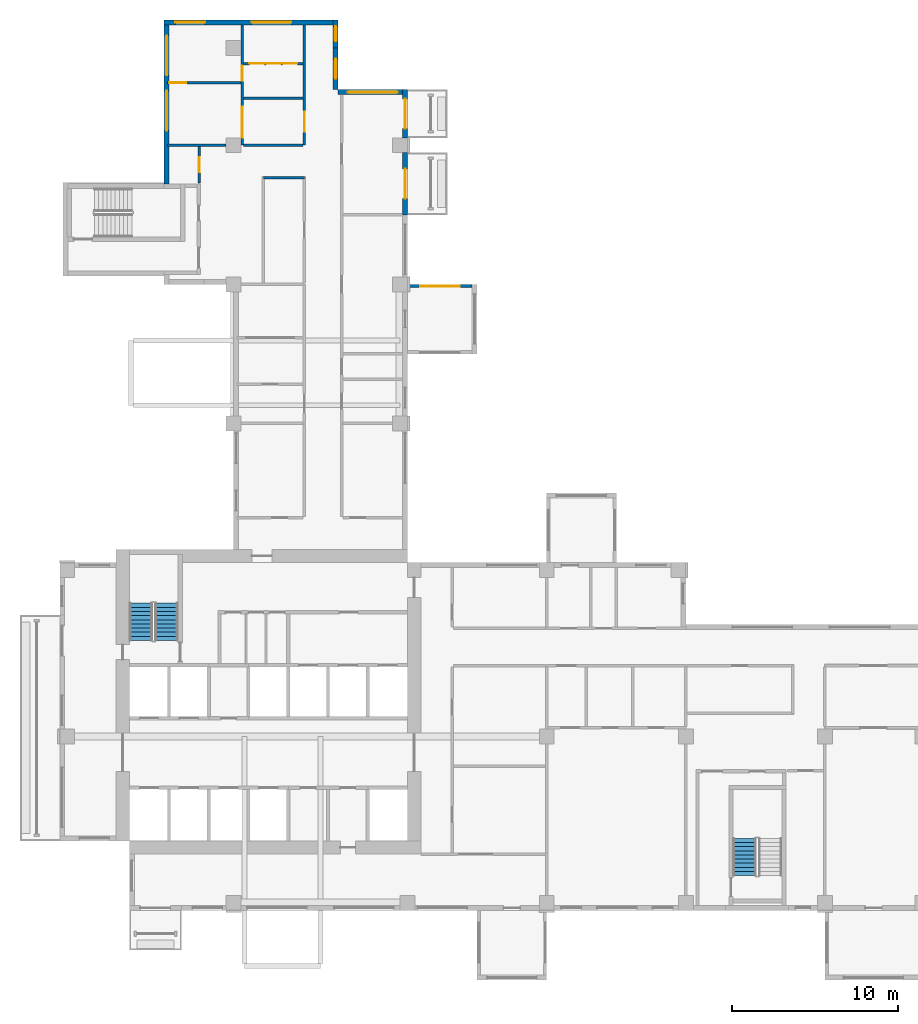
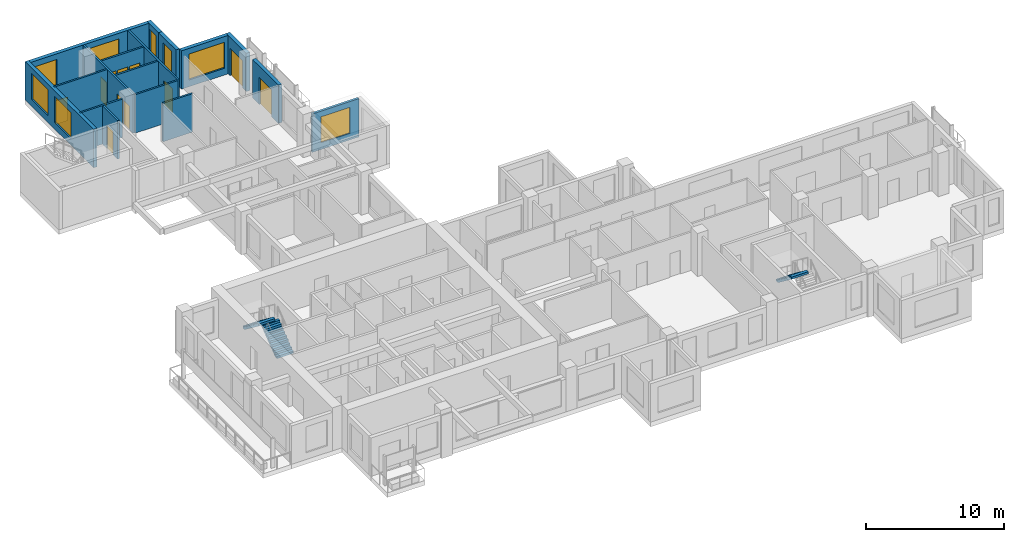
# One storey, part 8 of 13: 17 walls, 11 doors, 8 windows, 3 stair flights, 19 openings, 2 elements without a shape of their own.
"""IFC4 building model written with IfcOpenShell, lengths in metres."""

from ifc_helpers import new_model, si_unit, direction, frame, frame_2d, origin, place, context, subcontext, project, spatial, polyline, rectangle, outline, extrude, source, transform, mapped, material, layer, layer_set, type_object, element, fill, aggregate, save


model = new_model("IFC4")

# Units and contexts
model_context = context("Model", 3, precision=1e-05, world=origin(), true_north=direction((0.0, 1.0)))
body_context = subcontext(model_context, "Body", "Model", "MODEL_VIEW")
ifc_project = project(units=[si_unit("LENGTHUNIT", "METRE"), si_unit("AREAUNIT", "SQUARE_METRE"), si_unit("VOLUMEUNIT", "CUBIC_METRE"), si_unit("PLANEANGLEUNIT", "RADIAN"), si_unit("MASSUNIT", "GRAM", prefix="KILO")], contexts=[model_context])

# Site, building, storey
site_placement = place(None, origin())
site = spatial("IfcSite", under=ifc_project, at=site_placement, CompositionType="ELEMENT")
building_placement = place(site_placement, origin())
building = spatial("IfcBuilding", under=site, at=building_placement, Name="Aurelian Terraces", CompositionType="ELEMENT")
storey_placement = place(building_placement, frame((0.0, 0.0, 193.0)))
storey = spatial("IfcBuildingStorey", under=building, at=storey_placement, Name="L42", CompositionType="ELEMENT", Elevation=193.0)

# Wall
ifc_material_1 = material(Name="Gypsum board on steel studs", Category="steel")
ifc_layer_1 = layer(ifc_material_1, 0.15)
ifc_layer_set_1 = layer_set([ifc_layer_1], Name="Partition 150")
wall_type_1 = type_object("IfcWallType", Name="Partition 150", PredefinedType="PARTITIONING", material=ifc_layer_set_1)
wall_1_placement = place(storey_placement, frame((14.775, 44.25, 0.0), z_axis=(0.0, 0.0, 1.0), x_axis=(-1.0, 0.0, 0.0)))
element("IfcWall", 1, at=wall_1_placement, inside=storey, type_object=wall_type_1, Name="Partition", PredefinedType="PARTITIONING", context=body_context, shape_type="SweptSolid", body=[
    extrude(rectangle(XDim=2.475, YDim=0.15, at=frame_2d((1.2375, 0.0))), origin(), (0.0, 0.0, 1.0), 3.4),
])

# Wall, opening, door
ifc_material_2 = material(Name="Terracotta rainscreen cladding", Category="masonry")
ifc_layer_2 = layer(ifc_material_2, 0.3)
ifc_layer_set_2 = layer_set([ifc_layer_2], Name="EW-300")
wall_type_2 = type_object("IfcWallType", Name="EW-300", PredefinedType="STANDARD", material=ifc_layer_set_2)
shared_shape_1 = source(origin(), body_context, "Body", "SweptSolid", [
    extrude(rectangle(XDim=3.75, YDim=0.3, at=frame_2d((1.875, 0.0))), origin(), (0.0, 0.0, 1.0), 3.4),
])
wall_2_placement = place(storey_placement, frame((20.85, 42.0, 0.0), z_axis=(0.0, 0.0, 1.0), x_axis=(0.0, 1.0, 0.0)))
wall_2 = element("IfcWall", 2, at=wall_2_placement, inside=storey, type_object=wall_type_2, Name="External wall L42 F08.22", PredefinedType="STANDARD", context=body_context, shape_type="MappedRepresentation", body=[
    mapped(shared_shape_1, transform((0.0, 0.0, 0.0), scale=1.0)),
])
shared_shape_2 = source(origin(), body_context, "Body", "SweptSolid", [
    extrude(rectangle(XDim=1.8, YDim=2.4, at=frame_2d((0.9, 1.2))), frame((0.0, 0.16, 0.0), z_axis=(0.0, -1.0, 0.0), x_axis=(1.0, 0.0, 0.0)), (0.0, 0.0, 1.0), 0.32),
])
opening_1_placement = place(wall_2_placement, frame((0.975, 0.0, 0.0)))
opening_1 = element("IfcOpeningElement", 3, at=opening_1_placement, cuts=wall_2, Name="Opening 84203", PredefinedType="OPENING", context=body_context, shape_type="MappedRepresentation", body=[
    mapped(shared_shape_2, transform((0.0, 0.0, 0.0), scale=1.0)),
])
ifc_material_3 = material(Name="Clear glazing", Category="glass")
door_type_1 = type_object("IfcDoorType", Name="BD-1800x2400", OperationType="SLIDING_TO_LEFT", PredefinedType="DOOR", material=ifc_material_3)
shared_shape_3 = source(origin(), body_context, "Body", "SweptSolid", [
    extrude(rectangle(XDim=1.8, YDim=2.4, at=frame_2d((0.9, 1.2))), frame((0.0, 0.025, 0.0), z_axis=(0.0, -1.0, 0.0), x_axis=(1.0, 0.0, 0.0)), (0.0, 0.0, 1.0), 0.05),
])
door_1_placement = place(opening_1_placement, origin())
door_1 = element("IfcDoor", 4, at=door_1_placement, inside=storey, type_object=door_type_1, Name="Balcony door L42 F08.22", OperationType="SLIDING_TO_LEFT", OverallHeight=2.4, OverallWidth=1.8, PredefinedType="DOOR", context=body_context, shape_type="MappedRepresentation", body=[
    mapped(shared_shape_3, transform((0.0, 0.0, 0.0), scale=1.0)),
])
fill(opening_1, door_1)

shared_shape_4 = source(origin(), body_context, "Body", "SweptSolid", [
    extrude(rectangle(XDim=2.91, YDim=0.3, at=frame_2d((1.455, 0.0))), origin(), (0.0, 0.0, 1.0), 3.4),
])
wall_3_placement = place(storey_placement, frame((20.85, 46.65, 0.0), z_axis=(0.0, 0.0, 1.0), x_axis=(0.0, 1.0, 0.0)))
wall_3 = element("IfcWall", 5, at=wall_3_placement, inside=storey, type_object=wall_type_2, Name="External wall L42 F08.23", PredefinedType="STANDARD", context=body_context, shape_type="MappedRepresentation", body=[
    mapped(shared_shape_4, transform((0.0, 0.0, 0.0), scale=1.0)),
])
opening_2_placement = place(wall_3_placement, frame((0.555, 0.0, 0.0)))
opening_2 = element("IfcOpeningElement", 6, at=opening_2_placement, cuts=wall_3, Name="Opening 84204", PredefinedType="OPENING", context=body_context, shape_type="MappedRepresentation", body=[
    mapped(shared_shape_2, transform((0.0, 0.0, 0.0), scale=1.0)),
])
door_2_placement = place(opening_2_placement, origin())
door_2 = element("IfcDoor", 7, at=door_2_placement, inside=storey, type_object=door_type_1, Name="Balcony door L42 F08.23", OperationType="SLIDING_TO_LEFT", OverallHeight=2.4, OverallWidth=1.8, PredefinedType="DOOR", context=body_context, shape_type="MappedRepresentation", body=[
    mapped(shared_shape_3, transform((0.0, 0.0, 0.0), scale=1.0)),
])
fill(opening_2, door_2)

# Wall, opening, window
shared_shape_5 = source(origin(), body_context, "Body", "SweptSolid", [
    extrude(rectangle(XDim=4.2, YDim=0.3, at=frame_2d((2.1, 0.0))), origin(), (0.0, 0.0, 1.0), 3.4),
])
wall_4_placement = place(storey_placement, frame((21.0, 49.41, 0.0), z_axis=(0.0, 0.0, 1.0), x_axis=(-1.0, 0.0, 0.0)))
wall_4 = element("IfcWall", 8, at=wall_4_placement, inside=storey, type_object=wall_type_2, Name="External wall L42 F09.24", PredefinedType="STANDARD", context=body_context, shape_type="MappedRepresentation", body=[
    mapped(shared_shape_5, transform((0.0, 0.0, 0.0), scale=1.0)),
])
shared_shape_6 = source(origin(), body_context, "Body", "SweptSolid", [
    extrude(rectangle(XDim=3.0, YDim=2.3, at=frame_2d((1.5, 1.15))), frame((0.0, 0.16, 0.0), z_axis=(0.0, -1.0, 0.0), x_axis=(1.0, 0.0, 0.0)), (0.0, 0.0, 1.0), 0.32),
])
opening_3_placement = place(wall_4_placement, frame((0.6, 0.0, 0.6)))
opening_3 = element("IfcOpeningElement", 9, at=opening_3_placement, cuts=wall_4, Name="Opening W3023", PredefinedType="OPENING", context=body_context, shape_type="MappedRepresentation", body=[
    mapped(shared_shape_6, transform((0.0, 0.0, 0.0), scale=1.0)),
])
window_type_1 = type_object("IfcWindowType", Name="W-3000x2300", PartitioningType="SINGLE_PANEL", PredefinedType="WINDOW", material=ifc_material_3)
shared_shape_7 = source(origin(), body_context, "Body", "SweptSolid", [
    extrude(rectangle(XDim=3.0, YDim=2.3, at=frame_2d((1.5, 1.15))), frame((0.0, 0.03, 0.0), z_axis=(0.0, -1.0, 0.0), x_axis=(1.0, 0.0, 0.0)), (0.0, 0.0, 1.0), 0.06),
])
window_1_placement = place(opening_3_placement, origin())
window_1 = element("IfcWindow", 10, at=window_1_placement, inside=storey, type_object=window_type_1, Name="Window L42 L42-F09-24-0", OverallHeight=2.3, OverallWidth=3.0, PartitioningType="SINGLE_PANEL", PredefinedType="WINDOW", context=body_context, shape_type="MappedRepresentation", body=[
    mapped(shared_shape_7, transform((0.0, 0.0, 0.0), scale=1.0)),
])
fill(opening_3, window_1)

shared_shape_8 = source(origin(), body_context, "Body", "SweptSolid", [
    extrude(rectangle(XDim=2.52, YDim=0.3, at=frame_2d((1.26, 0.0))), origin(), (0.0, 0.0, 1.0), 3.4),
])
wall_5_placement = place(storey_placement, frame((16.65, 49.56, 0.0), z_axis=(0.0, 0.0, 1.0), x_axis=(0.0, 1.0, 0.0)))
wall_5 = element("IfcWall", 11, at=wall_5_placement, inside=storey, type_object=wall_type_2, Name="External wall L42 F10.25", PredefinedType="STANDARD", context=body_context, shape_type="MappedRepresentation", body=[
    mapped(shared_shape_8, transform((0.0, 0.0, 0.0), scale=1.0)),
])
shared_shape_9 = source(origin(), body_context, "Body", "SweptSolid", [
    extrude(rectangle(XDim=1.2, YDim=2.3, at=frame_2d((0.6, 1.15))), frame((0.0, 0.16, 0.0), z_axis=(0.0, -1.0, 0.0), x_axis=(1.0, 0.0, 0.0)), (0.0, 0.0, 1.0), 0.32),
])
opening_4_placement = place(wall_5_placement, frame((0.66, 0.0, 0.6)))
opening_4 = element("IfcOpeningElement", 12, at=opening_4_placement, cuts=wall_5, Name="Opening W1223", PredefinedType="OPENING", context=body_context, shape_type="MappedRepresentation", body=[
    mapped(shared_shape_9, transform((0.0, 0.0, 0.0), scale=1.0)),
])
window_type_2 = type_object("IfcWindowType", Name="W-1200x2300", PartitioningType="SINGLE_PANEL", PredefinedType="WINDOW", material=ifc_material_3)
shared_shape_10 = source(origin(), body_context, "Body", "SweptSolid", [
    extrude(rectangle(XDim=1.2, YDim=2.3, at=frame_2d((0.6, 1.15))), frame((0.0, 0.03, 0.0), z_axis=(0.0, -1.0, 0.0), x_axis=(1.0, 0.0, 0.0)), (0.0, 0.0, 1.0), 0.06),
])
window_2_placement = place(opening_4_placement, origin())
window_2 = element("IfcWindow", 13, at=window_2_placement, inside=storey, type_object=window_type_2, Name="Window L42 L42-F10-25-0", OverallHeight=2.3, OverallWidth=1.2, PartitioningType="SINGLE_PANEL", PredefinedType="WINDOW", context=body_context, shape_type="MappedRepresentation", body=[
    mapped(shared_shape_10, transform((0.0, 0.0, 0.0), scale=1.0)),
])
fill(opening_4, window_2)

shared_shape_11 = source(origin(), body_context, "Body", "SweptSolid", [
    extrude(rectangle(XDim=1.68, YDim=0.3, at=frame_2d((0.84, 0.0))), origin(), (0.0, 0.0, 1.0), 3.4),
])
wall_6_placement = place(storey_placement, frame((16.65, 52.08, 0.0), z_axis=(0.0, 0.0, 1.0), x_axis=(0.0, 1.0, 0.0)))
wall_6 = element("IfcWall", 14, at=wall_6_placement, inside=storey, type_object=wall_type_2, Name="External wall L42 F10.26", PredefinedType="STANDARD", context=body_context, shape_type="MappedRepresentation", body=[
    mapped(shared_shape_11, transform((0.0, 0.0, 0.0), scale=1.0)),
])
shared_shape_12 = source(origin(), body_context, "Body", "SweptSolid", [
    extrude(rectangle(XDim=0.9, YDim=2.3, at=frame_2d((0.45, 1.15))), frame((0.0, 0.16, 0.0), z_axis=(0.0, -1.0, 0.0), x_axis=(1.0, 0.0, 0.0)), (0.0, 0.0, 1.0), 0.32),
])
opening_5_placement = place(wall_6_placement, frame((0.39, 0.0, 0.6)))
opening_5 = element("IfcOpeningElement", 15, at=opening_5_placement, cuts=wall_6, Name="Opening W0923", PredefinedType="OPENING", context=body_context, shape_type="MappedRepresentation", body=[
    mapped(shared_shape_12, transform((0.0, 0.0, 0.0), scale=1.0)),
])
window_type_3 = type_object("IfcWindowType", Name="W-900x2300", PartitioningType="SINGLE_PANEL", PredefinedType="WINDOW", material=ifc_material_3)
shared_shape_13 = source(origin(), body_context, "Body", "SweptSolid", [
    extrude(rectangle(XDim=0.9, YDim=2.3, at=frame_2d((0.45, 1.15))), frame((0.0, 0.03, 0.0), z_axis=(0.0, -1.0, 0.0), x_axis=(1.0, 0.0, 0.0)), (0.0, 0.0, 1.0), 0.06),
])
window_3_placement = place(opening_5_placement, origin())
window_3 = element("IfcWindow", 16, at=window_3_placement, inside=storey, type_object=window_type_3, Name="Window L42 L42-F10-26-P0", OverallHeight=2.3, OverallWidth=0.9, PartitioningType="SINGLE_PANEL", PredefinedType="WINDOW", context=body_context, shape_type="MappedRepresentation", body=[
    mapped(shared_shape_13, transform((0.0, 0.0, 0.0), scale=1.0)),
])
fill(opening_5, window_3)

ifc_material_4 = material(Name="Concrete fc' 40 MPa", Category="concrete")
ifc_layer_3 = layer(ifc_material_4, 0.2)
ifc_layer_set_3 = layer_set([ifc_layer_3], Name="BOX BEARING WALL 200")
wall_type_3 = type_object("IfcWallType", Name="BOX BEARING WALL 200", PredefinedType="SOLIDWALL", material=ifc_layer_set_3)
shared_shape_14 = source(origin(), body_context, "Body", "SweptSolid", [
    extrude(rectangle(XDim=3.9, YDim=0.2, at=frame_2d((1.95, 0.0))), origin(), (0.0, 0.0, 1.0), 3.4),
])
wall_7_placement = place(storey_placement, frame((21.0, 37.7, 0.0), z_axis=(0.0, 0.0, 1.0), x_axis=(1.0, 0.0, 0.0)))
wall_7 = element("IfcWall", 17, at=wall_7_placement, inside=storey, type_object=wall_type_3, Name="Box return L42 J57.2", PredefinedType="SOLIDWALL", context=body_context, shape_type="MappedRepresentation", body=[
    mapped(shared_shape_14, transform((0.0, 0.0, 0.0), scale=1.0)),
])
shared_shape_15 = source(origin(), body_context, "Body", "SweptSolid", [
    extrude(rectangle(XDim=2.4, YDim=2.3, at=frame_2d((1.2, 1.15))), frame((0.0, 0.11, 0.0), z_axis=(0.0, -1.0, 0.0), x_axis=(1.0, 0.0, 0.0)), (0.0, 0.0, 1.0), 0.22),
])
opening_6_placement = place(wall_7_placement, frame((0.75, 0.0, 0.6)))
opening_6 = element("IfcOpeningElement", 18, at=opening_6_placement, cuts=wall_7, Name="Opening W2423", PredefinedType="OPENING", context=body_context, shape_type="MappedRepresentation", body=[
    mapped(shared_shape_15, transform((0.0, 0.0, 0.0), scale=1.0)),
])
window_type_4 = type_object("IfcWindowType", Name="W-2400x2300", PartitioningType="SINGLE_PANEL", PredefinedType="WINDOW", material=ifc_material_3)
shared_shape_16 = source(origin(), body_context, "Body", "SweptSolid", [
    extrude(rectangle(XDim=2.4, YDim=2.3, at=frame_2d((1.2, 1.15))), frame((0.0, 0.03, 0.0), z_axis=(0.0, -1.0, 0.0), x_axis=(1.0, 0.0, 0.0)), (0.0, 0.0, 1.0), 0.06),
])
window_4_placement = place(opening_6_placement, origin())
window_4 = element("IfcWindow", 19, at=window_4_placement, inside=storey, type_object=window_type_4, Name="Window L42 J57-S2", OverallHeight=2.3, OverallWidth=2.4, PartitioningType="SINGLE_PANEL", PredefinedType="WINDOW", context=body_context, shape_type="MappedRepresentation", body=[
    mapped(shared_shape_16, transform((0.0, 0.0, 0.0), scale=1.0)),
])
fill(opening_6, window_4)

# Wall, openings, windows
shared_shape_17 = source(origin(), body_context, "Body", "SweptSolid", [
    extrude(rectangle(XDim=10.5, YDim=0.3, at=frame_2d((5.25, 0.0))), origin(), (0.0, 0.0, 1.0), 3.4),
])
wall_8_placement = place(storey_placement, frame((16.8, 53.61, 0.0), z_axis=(0.0, 0.0, 1.0), x_axis=(-1.0, 0.0, 0.0)))
wall_8 = element("IfcWall", 20, at=wall_8_placement, inside=storey, type_object=wall_type_2, Name="External wall L42 F11.27", PredefinedType="STANDARD", context=body_context, shape_type="MappedRepresentation", body=[
    mapped(shared_shape_17, transform((0.0, 0.0, 0.0), scale=1.0)),
])
shared_shape_18 = source(origin(), body_context, "Body", "SweptSolid", [
    extrude(rectangle(XDim=1.8, YDim=2.3, at=frame_2d((0.9, 1.15))), frame((0.0, 0.16, 0.0), z_axis=(0.0, -1.0, 0.0), x_axis=(1.0, 0.0, 0.0)), (0.0, 0.0, 1.0), 0.32),
])
opening_7_placement = place(wall_8_placement, frame((8.025, 0.0, 0.6)))
opening_7 = element("IfcOpeningElement", 21, at=opening_7_placement, cuts=wall_8, Name="Opening W1823", PredefinedType="OPENING", context=body_context, shape_type="MappedRepresentation", body=[
    mapped(shared_shape_18, transform((0.0, 0.0, 0.0), scale=1.0)),
])
shared_shape_19 = source(origin(), body_context, "Body", "SweptSolid", [
    extrude(rectangle(XDim=2.4, YDim=2.3, at=frame_2d((1.2, 1.15))), frame((0.0, 0.16, 0.0), z_axis=(0.0, -1.0, 0.0), x_axis=(1.0, 0.0, 0.0)), (0.0, 0.0, 1.0), 0.32),
])
opening_8_placement = place(wall_8_placement, frame((2.8125, 0.0, 0.6)))
opening_8 = element("IfcOpeningElement", 22, at=opening_8_placement, cuts=wall_8, Name="Opening W2423", PredefinedType="OPENING", context=body_context, shape_type="MappedRepresentation", body=[
    mapped(shared_shape_19, transform((0.0, 0.0, 0.0), scale=1.0)),
])
window_type_5 = type_object("IfcWindowType", Name="W-1800x2300", PartitioningType="SINGLE_PANEL", PredefinedType="WINDOW", material=ifc_material_3)
shared_shape_20 = source(origin(), body_context, "Body", "SweptSolid", [
    extrude(rectangle(XDim=1.8, YDim=2.3, at=frame_2d((0.9, 1.15))), frame((0.0, 0.03, 0.0), z_axis=(0.0, -1.0, 0.0), x_axis=(1.0, 0.0, 0.0)), (0.0, 0.0, 1.0), 0.06),
])
window_5_placement = place(opening_7_placement, origin())
window_5 = element("IfcWindow", 23, at=window_5_placement, inside=storey, type_object=window_type_5, Name="Window L42 L42-F11-27-2", OverallHeight=2.3, OverallWidth=1.8, PartitioningType="SINGLE_PANEL", PredefinedType="WINDOW", context=body_context, shape_type="MappedRepresentation", body=[
    mapped(shared_shape_20, transform((0.0, 0.0, 0.0), scale=1.0)),
])
fill(opening_7, window_5)
window_6_placement = place(opening_8_placement, origin())
window_6 = element("IfcWindow", 24, at=window_6_placement, inside=storey, type_object=window_type_4, Name="Window L42 L42-F11-27-G0-0", OverallHeight=2.3, OverallWidth=2.4, PartitioningType="SINGLE_PANEL", PredefinedType="WINDOW", context=body_context, shape_type="MappedRepresentation", body=[
    mapped(shared_shape_16, transform((0.0, 0.0, 0.0), scale=1.0)),
])
fill(opening_8, window_6)

shared_shape_21 = source(origin(), body_context, "Body", "SweptSolid", [
    extrude(rectangle(XDim=9.91, YDim=0.3, at=frame_2d((4.955, 0.0))), origin(), (0.0, 0.0, 1.0), 3.4),
])
wall_9_placement = place(storey_placement, frame((6.45, 53.76, 0.0), z_axis=(0.0, 0.0, 1.0), x_axis=(0.0, -1.0, 0.0)))
wall_9 = element("IfcWall", 25, at=wall_9_placement, inside=storey, type_object=wall_type_2, Name="External wall L42 F12.28", PredefinedType="STANDARD", context=body_context, shape_type="MappedRepresentation", body=[
    mapped(shared_shape_21, transform((0.0, 0.0, 0.0), scale=1.0)),
])
opening_9_placement = place(wall_9_placement, frame((4.2725, 0.0, 0.6)))
opening_9 = element("IfcOpeningElement", 26, at=opening_9_placement, cuts=wall_9, Name="Opening W2423", PredefinedType="OPENING", context=body_context, shape_type="MappedRepresentation", body=[
    mapped(shared_shape_19, transform((0.0, 0.0, 0.0), scale=1.0)),
])
opening_10_placement = place(wall_9_placement, frame((0.9363, 0.0, 0.6)))
opening_10 = element("IfcOpeningElement", 27, at=opening_10_placement, cuts=wall_9, Name="Opening W2423", PredefinedType="OPENING", context=body_context, shape_type="MappedRepresentation", body=[
    mapped(shared_shape_19, transform((0.0, 0.0, 0.0), scale=1.0)),
])
window_7_placement = place(opening_9_placement, origin())
window_7 = element("IfcWindow", 28, at=window_7_placement, inside=storey, type_object=window_type_4, Name="Window L42 L42-F12-28-1", OverallHeight=2.3, OverallWidth=2.4, PartitioningType="SINGLE_PANEL", PredefinedType="WINDOW", context=body_context, shape_type="MappedRepresentation", body=[
    mapped(shared_shape_16, transform((0.0, 0.0, 0.0), scale=1.0)),
])
fill(opening_9, window_7)
window_8_placement = place(opening_10_placement, origin())
window_8 = element("IfcWindow", 29, at=window_8_placement, inside=storey, type_object=window_type_4, Name="Window L42 L42-F12-28-G0-0", OverallHeight=2.3, OverallWidth=2.4, PartitioningType="SINGLE_PANEL", PredefinedType="WINDOW", context=body_context, shape_type="MappedRepresentation", body=[
    mapped(shared_shape_16, transform((0.0, 0.0, 0.0), scale=1.0)),
])
fill(opening_10, window_8)

# Wall
shared_shape_22 = source(origin(), body_context, "Body", "SweptSolid", [
    extrude(rectangle(XDim=3.6, YDim=0.15, at=frame_2d((1.8, 0.0))), origin(), (0.0, 0.0, 1.0), 3.4),
])
wall_10_placement = place(storey_placement, frame((14.7, 49.0491, 0.0), z_axis=(0.0, 0.0, 1.0), x_axis=(-1.0, 0.0, 0.0)))
element("IfcWall", 30, at=wall_10_placement, inside=storey, type_object=wall_type_1, Name="Partition", PredefinedType="PARTITIONING", context=body_context, shape_type="MappedRepresentation", body=[
    mapped(shared_shape_22, transform((0.0, 0.0, 0.0), scale=1.0)),
])

# Wall, openings, doors
wall_11_placement = place(storey_placement, frame((14.7, 51.1297, 0.0), z_axis=(0.0, 0.0, 1.0), x_axis=(-1.0, 0.0, 0.0)))
wall_11 = element("IfcWall", 31, at=wall_11_placement, inside=storey, type_object=wall_type_1, Name="Partition", PredefinedType="PARTITIONING", context=body_context, shape_type="MappedRepresentation", body=[
    mapped(shared_shape_22, transform((0.0, 0.0, 0.0), scale=1.0)),
])
shared_shape_23 = source(origin(), body_context, "Body", "SweptSolid", [
    extrude(rectangle(XDim=0.9, YDim=2.1, at=frame_2d((0.45, 1.05))), frame((0.0, 0.085, 0.0), z_axis=(0.0, -1.0, 0.0), x_axis=(1.0, 0.0, 0.0)), (0.0, 0.0, 1.0), 0.17),
])
opening_11_placement = place(wall_11_placement, frame((1.35, 0.0, 0.0)))
opening_11 = element("IfcOpeningElement", 32, at=opening_11_placement, cuts=wall_11, Name="Opening 742036", PredefinedType="OPENING", context=body_context, shape_type="MappedRepresentation", body=[
    mapped(shared_shape_23, transform((0.0, 0.0, 0.0), scale=1.0)),
])
opening_12_placement = place(wall_11_placement, frame((0.35, 0.0, 0.0)))
opening_12 = element("IfcOpeningElement", 33, at=opening_12_placement, cuts=wall_11, Name="Opening 742038", PredefinedType="OPENING", context=body_context, shape_type="MappedRepresentation", body=[
    mapped(shared_shape_23, transform((0.0, 0.0, 0.0), scale=1.0)),
])
opening_13_placement = place(wall_11_placement, frame((2.35, 0.0, 0.0)))
opening_13 = element("IfcOpeningElement", 34, at=opening_13_placement, cuts=wall_11, Name="Opening 742040", PredefinedType="OPENING", context=body_context, shape_type="MappedRepresentation", body=[
    mapped(shared_shape_23, transform((0.0, 0.0, 0.0), scale=1.0)),
])
ifc_material_5 = material(Name="Timber door leaf", Category="wood")
door_type_2 = type_object("IfcDoorType", Name="Room door 900x2100 left", OperationType="SINGLE_SWING_LEFT", PredefinedType="DOOR", material=ifc_material_5)
shared_shape_24 = source(origin(), body_context, "Body", "SweptSolid", [
    extrude(rectangle(XDim=0.9, YDim=2.1, at=frame_2d((0.45, 1.05))), frame((0.0, 0.025, 0.0), z_axis=(0.0, -1.0, 0.0), x_axis=(1.0, 0.0, 0.0)), (0.0, 0.0, 1.0), 0.05),
])
door_3_placement = place(opening_11_placement, origin())
door_3 = element("IfcDoor", 35, at=door_3_placement, inside=storey, type_object=door_type_2, Name="Door 742036", OperationType="SINGLE_SWING_LEFT", OverallHeight=2.1, OverallWidth=0.9, PredefinedType="DOOR", context=body_context, shape_type="MappedRepresentation", body=[
    mapped(shared_shape_24, transform((0.0, 0.0, 0.0), scale=1.0)),
])
fill(opening_11, door_3)
ifc_material_6 = material(Name="Steel door leaf", Category="steel")
door_type_3 = type_object("IfcDoorType", Name="Entrance fire door 900x2100 left", OperationType="SINGLE_SWING_LEFT", PredefinedType="DOOR", material=ifc_material_6)
door_4_placement = place(opening_12_placement, origin())
door_4 = element("IfcDoor", 36, at=door_4_placement, inside=storey, type_object=door_type_3, Name="Door 742038", OperationType="SINGLE_SWING_LEFT", OverallHeight=2.1, OverallWidth=0.9, PredefinedType="DOOR", context=body_context, shape_type="MappedRepresentation", body=[
    mapped(shared_shape_24, transform((0.0, 0.0, 0.0), scale=1.0)),
])
fill(opening_12, door_4)
door_5_placement = place(opening_13_placement, origin())
door_5 = element("IfcDoor", 37, at=door_5_placement, inside=storey, type_object=door_type_3, Name="Door 742040", OperationType="SINGLE_SWING_LEFT", OverallHeight=2.1, OverallWidth=0.9, PredefinedType="DOOR", context=body_context, shape_type="MappedRepresentation", body=[
    mapped(shared_shape_24, transform((0.0, 0.0, 0.0), scale=1.0)),
])
fill(opening_13, door_5)

# Wall
ifc_layer_4 = layer(ifc_material_1, 0.15)
ifc_layer_set_4 = layer_set([ifc_layer_4], Name="Fire partition 150")
wall_type_4 = type_object("IfcWallType", Name="Fire partition 150", PredefinedType="PARTITIONING", material=ifc_layer_set_4)
wall_12_placement = place(storey_placement, frame((14.7, 46.2, 0.0), z_axis=(0.0, 0.0, 1.0), x_axis=(-1.0, 0.0, 0.0)))
element("IfcWall", 38, at=wall_12_placement, inside=storey, type_object=wall_type_4, Name="Party wall", PredefinedType="PARTITIONING", context=body_context, shape_type="MappedRepresentation", body=[
    mapped(shared_shape_22, transform((0.0, 0.0, 0.0), scale=1.0)),
])

# Wall, opening, door
shared_shape_25 = source(origin(), body_context, "Body", "SweptSolid", [
    extrude(rectangle(XDim=2.2, YDim=0.15, at=frame_2d((1.1, 0.0))), origin(), (0.0, 0.0, 1.0), 3.4),
])
wall_13_placement = place(storey_placement, frame((8.425, 43.925, 0.0), z_axis=(0.0, 0.0, 1.0), x_axis=(0.0, 1.0, 0.0)))
wall_13 = element("IfcWall", 39, at=wall_13_placement, inside=storey, type_object=wall_type_1, Name="Partition", PredefinedType="PARTITIONING", context=body_context, shape_type="MappedRepresentation", body=[
    mapped(shared_shape_25, transform((0.0, 0.0, 0.0), scale=1.0)),
])
opening_14_placement = place(wall_13_placement, frame((0.65, 0.0, 0.0)))
opening_14 = element("IfcOpeningElement", 40, at=opening_14_placement, cuts=wall_13, Name="Opening 742022", PredefinedType="OPENING", context=body_context, shape_type="MappedRepresentation", body=[
    mapped(shared_shape_23, transform((0.0, 0.0, 0.0), scale=1.0)),
])
door_type_4 = type_object("IfcDoorType", Name="Room door 900x2100 right", OperationType="SINGLE_SWING_RIGHT", PredefinedType="DOOR", material=ifc_material_5)
door_6_placement = place(opening_14_placement, origin())
door_6 = element("IfcDoor", 41, at=door_6_placement, inside=storey, type_object=door_type_4, Name="Door 742022", OperationType="SINGLE_SWING_RIGHT", OverallHeight=2.1, OverallWidth=0.9, PredefinedType="DOOR", context=body_context, shape_type="MappedRepresentation", body=[
    mapped(shared_shape_24, transform((0.0, 0.0, 0.0), scale=1.0)),
])
fill(opening_14, door_6)

# Wall
shared_shape_26 = source(origin(), body_context, "Body", "SweptSolid", [
    extrude(rectangle(XDim=3.546, YDim=0.15, at=frame_2d((1.773, 0.0))), origin(), (0.0, 0.0, 1.0), 3.4),
])
wall_14_placement = place(storey_placement, frame((10.051, 46.2, 0.0), z_axis=(0.0, 0.0, 1.0), x_axis=(-1.0, 0.0, 0.0)))
element("IfcWall", 42, at=wall_14_placement, inside=storey, type_object=wall_type_4, Name="Party wall", PredefinedType="PARTITIONING", context=body_context, shape_type="MappedRepresentation", body=[
    mapped(shared_shape_26, transform((0.0, 0.0, 0.0), scale=1.0)),
])

# Wall, openings, doors
shared_shape_27 = source(origin(), body_context, "Body", "SweptSolid", [
    extrude(rectangle(XDim=7.26, YDim=0.15, at=frame_2d((3.63, 0.0))), origin(), (0.0, 0.0, 1.0), 3.4),
])
wall_15_placement = place(storey_placement, frame((11.025, 46.2, 0.0), z_axis=(0.0, 0.0, 1.0), x_axis=(0.0, 1.0, 0.0)))
wall_15 = element("IfcWall", 43, at=wall_15_placement, inside=storey, type_object=wall_type_1, Name="Partition", PredefinedType="PARTITIONING", context=body_context, shape_type="MappedRepresentation", body=[
    mapped(shared_shape_27, transform((0.0, 0.0, 0.0), scale=1.0)),
])
opening_15_placement = place(wall_15_placement, frame((1.412, 0.0, 0.0)))
opening_15 = element("IfcOpeningElement", 44, at=opening_15_placement, cuts=wall_15, Name="Opening 742025", PredefinedType="OPENING", context=body_context, shape_type="MappedRepresentation", body=[
    mapped(shared_shape_23, transform((0.0, 0.0, 0.0), scale=1.0)),
])
opening_16_placement = place(wall_15_placement, frame((0.46, 0.0, 0.0)))
opening_16 = element("IfcOpeningElement", 45, at=opening_16_placement, cuts=wall_15, Name="Opening 742026", PredefinedType="OPENING", context=body_context, shape_type="MappedRepresentation", body=[
    mapped(shared_shape_23, transform((0.0, 0.0, 0.0), scale=1.0)),
])
opening_17_placement = place(wall_15_placement, frame((3.901, 0.0, 0.0)))
opening_17 = element("IfcOpeningElement", 46, at=opening_17_placement, cuts=wall_15, Name="Opening 742028", PredefinedType="OPENING", context=body_context, shape_type="MappedRepresentation", body=[
    mapped(shared_shape_23, transform((0.0, 0.0, 0.0), scale=1.0)),
])
door_7_placement = place(opening_15_placement, origin())
door_7 = element("IfcDoor", 47, at=door_7_placement, inside=storey, type_object=door_type_4, Name="Door 742025", OperationType="SINGLE_SWING_RIGHT", OverallHeight=2.1, OverallWidth=0.9, PredefinedType="DOOR", context=body_context, shape_type="MappedRepresentation", body=[
    mapped(shared_shape_24, transform((0.0, 0.0, 0.0), scale=1.0)),
])
fill(opening_15, door_7)
door_8_placement = place(opening_16_placement, origin())
door_8 = element("IfcDoor", 48, at=door_8_placement, inside=storey, type_object=door_type_2, Name="Door 742026", OperationType="SINGLE_SWING_LEFT", OverallHeight=2.1, OverallWidth=0.9, PredefinedType="DOOR", context=body_context, shape_type="MappedRepresentation", body=[
    mapped(shared_shape_24, transform((0.0, 0.0, 0.0), scale=1.0)),
])
fill(opening_16, door_8)
door_9_placement = place(opening_17_placement, origin())
door_9 = element("IfcDoor", 49, at=door_9_placement, inside=storey, type_object=door_type_2, Name="Door 742028", OperationType="SINGLE_SWING_LEFT", OverallHeight=2.1, OverallWidth=0.9, PredefinedType="DOOR", context=body_context, shape_type="MappedRepresentation", body=[
    mapped(shared_shape_24, transform((0.0, 0.0, 0.0), scale=1.0)),
])
fill(opening_17, door_9)

# Wall, opening, door
wall_16_placement = place(storey_placement, frame((14.775, 46.2, 0.0), z_axis=(0.0, 0.0, 1.0), x_axis=(0.0, 1.0, 0.0)))
wall_16 = element("IfcWall", 50, at=wall_16_placement, inside=storey, type_object=wall_type_4, Name="Corridor wall", PredefinedType="PARTITIONING", context=body_context, shape_type="MappedRepresentation", body=[
    mapped(shared_shape_27, transform((0.0, 0.0, 0.0), scale=1.0)),
])
shared_shape_28 = source(origin(), body_context, "Body", "SweptSolid", [
    extrude(rectangle(XDim=1.2, YDim=2.1, at=frame_2d((0.6, 1.05))), frame((0.0, 0.085, 0.0), z_axis=(0.0, -1.0, 0.0), x_axis=(1.0, 0.0, 0.0)), (0.0, 0.0, 1.0), 0.17),
])
opening_18_placement = place(wall_16_placement, frame((0.8246, 0.0, 0.0)))
opening_18 = element("IfcOpeningElement", 51, at=opening_18_placement, cuts=wall_16, Name="Opening 742024", PredefinedType="OPENING", context=body_context, shape_type="MappedRepresentation", body=[
    mapped(shared_shape_28, transform((0.0, 0.0, 0.0), scale=1.0)),
])
door_type_5 = type_object("IfcDoorType", Name="Entrance fire door 1200x2100 left", OperationType="SINGLE_SWING_LEFT", PredefinedType="DOOR", material=ifc_material_6)
shared_shape_29 = source(origin(), body_context, "Body", "SweptSolid", [
    extrude(rectangle(XDim=1.2, YDim=2.1, at=frame_2d((0.6, 1.05))), frame((0.0, 0.025, 0.0), z_axis=(0.0, -1.0, 0.0), x_axis=(1.0, 0.0, 0.0)), (0.0, 0.0, 1.0), 0.05),
])
door_10_placement = place(opening_18_placement, origin())
door_10 = element("IfcDoor", 52, at=door_10_placement, inside=storey, type_object=door_type_5, Name="Door 742024", OperationType="SINGLE_SWING_LEFT", OverallHeight=2.1, OverallWidth=1.2, PredefinedType="DOOR", context=body_context, shape_type="MappedRepresentation", body=[
    mapped(shared_shape_29, transform((0.0, 0.0, 0.0), scale=1.0)),
])
fill(opening_18, door_10)

shared_shape_30 = source(origin(), body_context, "Body", "SweptSolid", [
    extrude(rectangle(XDim=4.445, YDim=0.15, at=frame_2d((2.2225, 0.0))), origin(), (0.0, 0.0, 1.0), 3.4),
])
wall_17_placement = place(storey_placement, frame((10.95, 49.98, 0.0), z_axis=(0.0, 0.0, 1.0), x_axis=(-1.0, 0.0, 0.0)))
wall_17 = element("IfcWall", 53, at=wall_17_placement, inside=storey, type_object=wall_type_1, Name="Partition", PredefinedType="PARTITIONING", context=body_context, shape_type="MappedRepresentation", body=[
    mapped(shared_shape_30, transform((0.0, 0.0, 0.0), scale=1.0)),
])
shared_shape_31 = source(origin(), body_context, "Body", "SweptSolid", [
    extrude(rectangle(XDim=1.0, YDim=2.1, at=frame_2d((0.5, 1.05))), frame((0.0, 0.085, 0.0), z_axis=(0.0, -1.0, 0.0), x_axis=(1.0, 0.0, 0.0)), (0.0, 0.0, 1.0), 0.17),
])
opening_19_placement = place(wall_17_placement, frame((3.325, 0.0, 0.0)))
opening_19 = element("IfcOpeningElement", 54, at=opening_19_placement, cuts=wall_17, Name="Opening 742027", PredefinedType="OPENING", context=body_context, shape_type="MappedRepresentation", body=[
    mapped(shared_shape_31, transform((0.0, 0.0, 0.0), scale=1.0)),
])
door_type_6 = type_object("IfcDoorType", Name="Room door 1000x2100 right", OperationType="SINGLE_SWING_RIGHT", PredefinedType="DOOR", material=ifc_material_5)
shared_shape_32 = source(origin(), body_context, "Body", "SweptSolid", [
    extrude(rectangle(XDim=1.0, YDim=2.1, at=frame_2d((0.5, 1.05))), frame((0.0, 0.025, 0.0), z_axis=(0.0, -1.0, 0.0), x_axis=(1.0, 0.0, 0.0)), (0.0, 0.0, 1.0), 0.05),
])
door_11_placement = place(opening_19_placement, origin())
door_11 = element("IfcDoor", 55, at=door_11_placement, inside=storey, type_object=door_type_6, Name="Door 742027", OperationType="SINGLE_SWING_RIGHT", OverallHeight=2.1, OverallWidth=1.0, PredefinedType="DOOR", context=body_context, shape_type="MappedRepresentation", body=[
    mapped(shared_shape_32, transform((0.0, 0.0, 0.0), scale=1.0)),
])
fill(opening_19, door_11)

# Stair, stair flights
stair_type = type_object("IfcStairType", Name="Stair 1400", PredefinedType="HALF_TURN_STAIR", material=ifc_material_4)
stair_1_placement = place(storey_placement, origin())
stair_1 = element("IfcStair", 56, at=stair_1_placement, inside=storey, type_object=stair_type, Name="L42 S1", PredefinedType="HALF_TURN_STAIR")
stair_flight_type = type_object("IfcStairFlightType", Name="Stair flight 1400", PredefinedType="STRAIGHT", material=ifc_material_4)
shared_shape_33 = source(origin(), body_context, "Body", "SweptSolid", [
    extrude(outline(polyline([(0.0, 0.0), (0.0, 0.19), (0.25, 0.19), (0.25, 0.38), (0.5, 0.38), (0.5, 0.57), (0.75, 0.57), (0.75, 0.76), (1.0, 0.76), (1.0, 0.95), (1.25, 0.95), (1.25, 1.14), (1.5, 1.14), (1.5, 1.33), (1.75, 1.33), (1.75, 1.52), (2.0, 1.52), (2.0, 1.71), (2.25, 1.71), (2.25, 1.9), (2.25, 1.5216), (0.2479, 0.0), (0.0, 0.0)])), frame((0.0, 0.7, 0.0), z_axis=(0.0, -1.0, 0.0), x_axis=(1.0, 0.0, 0.0)), (0.0, 0.0, 1.0), 1.4),
])
stair_flight_1_placement = place(storey_placement, frame((6.45, 16.3, 2e-08), z_axis=(0.0, 0.0, 1.0), x_axis=(0.0, 1.0, 0.0)))
stair_flight_1 = element("IfcStairFlight", 57, at=stair_flight_1_placement, type_object=stair_flight_type, Name="S1 flight 1", NumberOfRisers=10, NumberOfTreads=9, PredefinedType="STRAIGHT", RiserHeight=0.19, TreadLength=0.25, context=body_context, shape_type="MappedRepresentation", body=[
    mapped(shared_shape_33, transform((0.0, 0.0, 0.0), scale=1.0)),
])
stair_flight_2_placement = place(storey_placement, frame((4.9, 18.55, 1.9000000200000058), z_axis=(0.0, 0.0, 1.0), x_axis=(0.0, -1.0, 0.0)))
stair_flight_2 = element("IfcStairFlight", 58, at=stair_flight_2_placement, type_object=stair_flight_type, Name="S1 flight 2", NumberOfRisers=10, NumberOfTreads=9, PredefinedType="STRAIGHT", RiserHeight=0.19, TreadLength=0.25, context=body_context, shape_type="MappedRepresentation", body=[
    mapped(shared_shape_33, transform((0.0, 0.0, 0.0), scale=1.0)),
])
aggregate(stair_1, [stair_flight_1, stair_flight_2])

# Stair, stair flight
stair_2_placement = place(storey_placement, origin())
stair_2 = element("IfcStair", 59, at=stair_2_placement, inside=storey, type_object=stair_type, Name="L42 S2", PredefinedType="HALF_TURN_STAIR")
stair_flight_3_placement = place(storey_placement, frame((41.35, 4.35, 1.9000000200000058), z_axis=(0.0, 0.0, 1.0), x_axis=(0.0, -1.0, 0.0)))
stair_flight_3 = element("IfcStairFlight", 60, at=stair_flight_3_placement, type_object=stair_flight_type, Name="S2 flight 2", NumberOfRisers=10, NumberOfTreads=9, PredefinedType="STRAIGHT", RiserHeight=0.19, TreadLength=0.25, context=body_context, shape_type="MappedRepresentation", body=[
    mapped(shared_shape_33, transform((0.0, 0.0, 0.0), scale=1.0)),
])
aggregate(stair_2, [stair_flight_3])

save(model, "model.ifc")
